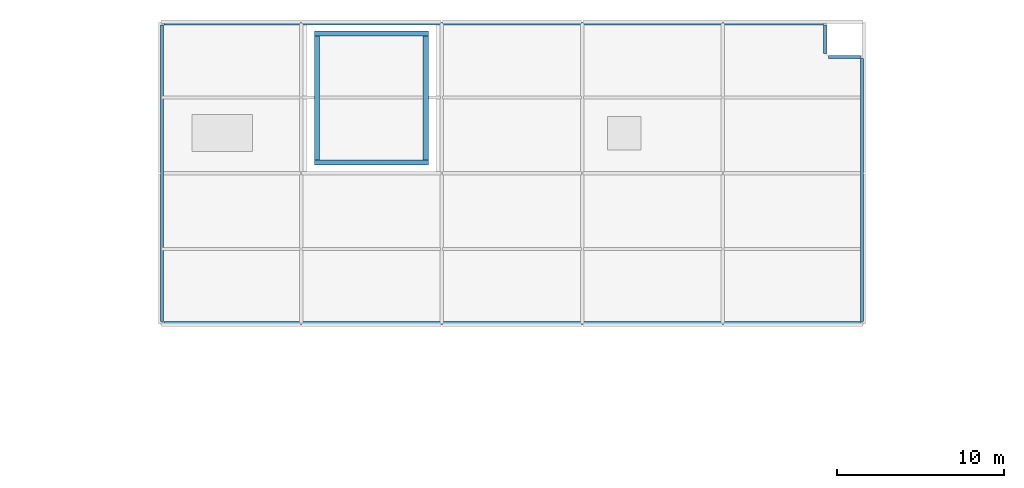
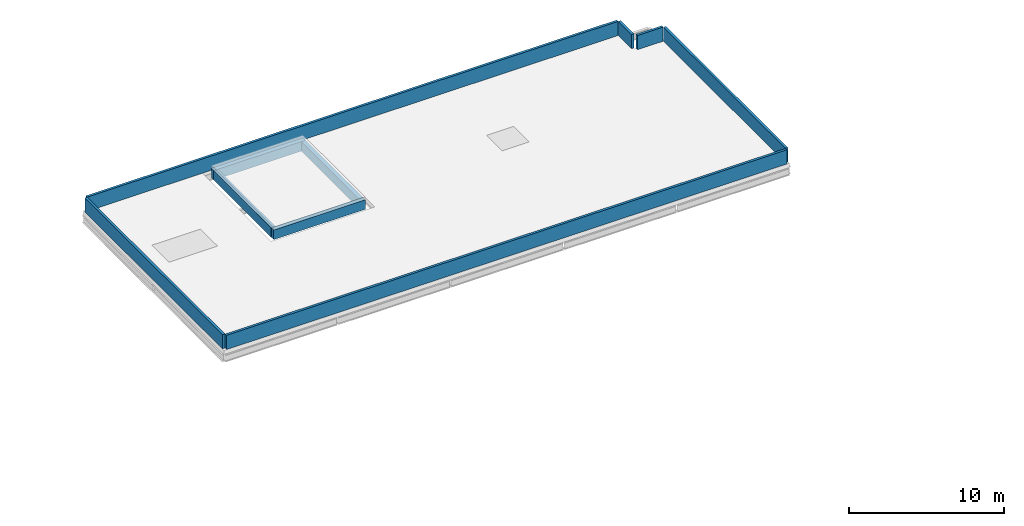
# One storey, part 57 of 58: 10 walls.
"""IFC4 building model written with IfcOpenShell, lengths in metres."""

from ifc_helpers import new_model, si_unit, direction, frame, frame_2d, origin, place, context, subcontext, project, spatial, rectangle, extrude, material, layer, layer_set, type_object, element, save


model = new_model("IFC4")

# Units and contexts
model_context = context("Model", 3, precision=1e-05, world=origin(), true_north=direction((0.0, 1.0)))
body_context = subcontext(model_context, "Body", "Model", "MODEL_VIEW")
ifc_project = project(units=[si_unit("LENGTHUNIT", "METRE"), si_unit("AREAUNIT", "SQUARE_METRE"), si_unit("VOLUMEUNIT", "CUBIC_METRE"), si_unit("PLANEANGLEUNIT", "RADIAN"), si_unit("MASSUNIT", "GRAM", prefix="KILO")], contexts=[model_context])

# Site, building, storey
site_placement = place(None, origin())
site = spatial("IfcSite", under=ifc_project, at=site_placement, CompositionType="ELEMENT")
building_placement = place(site_placement, origin())
building = spatial("IfcBuilding", under=site, at=building_placement, Name="Khurvash Pelagic Aquarium", CompositionType="ELEMENT")
storey_placement = place(building_placement, frame((0.0, 0.0, 24.60009765625)))
storey = spatial("IfcBuildingStorey", under=building, at=storey_placement, Name="L05", CompositionType="ELEMENT", Elevation=24.60009765625)

# Walls
ifc_material_1 = material(Name="Precast concrete C40/50", Category="concrete")
ifc_layer_1 = layer(ifc_material_1, 0.179931640625)
ifc_layer_set_1 = layer_set([ifc_layer_1], Name="Precast concrete C40/50")
wall_type_1 = type_object("IfcWallType", Name="PP-180", PredefinedType="PARAPET", material=ifc_layer_set_1)
wall_1_placement = place(storey_placement, frame((58.89990234375, 84.25, 0.0), z_axis=(0.0, 0.0, 1.0), x_axis=(0.0, 1.0, 0.0)))
element("IfcWall", 1, at=wall_1_placement, inside=storey, type_object=wall_type_1, Name="L05 Roof Perimeter Parapet Wall PP-180", PredefinedType="PARAPET", context=body_context, shape_type="SweptSolid", body=[
    extrude(rectangle(XDim=17.699951171875, YDim=0.179931640625, at=frame_2d((8.85009765625, 0.0))), origin(), (0.0, 0.0, 1.0), 1.119873046875),
])
wall_2_placement = place(storey_placement, frame((59.0, 102.050048828125, 0.0), z_axis=(0.0, 0.0, 1.0), x_axis=(1.0, 0.0, 0.0)))
element("IfcWall", 2, at=wall_2_placement, inside=storey, type_object=wall_type_1, Name="L05 Roof Perimeter Parapet Wall PP-180", PredefinedType="PARAPET", context=body_context, shape_type="SweptSolid", body=[
    extrude(rectangle(XDim=39.39990234375, YDim=0.179931640625, at=frame_2d((19.699951171875, 0.0))), origin(), (0.0, 0.0, 1.0), 1.119873046875),
])
wall_3_placement = place(storey_placement, frame((98.5, 101.949951171875, 0.0), z_axis=(0.0, 0.0, 1.0), x_axis=(0.0, -1.0, 0.0)))
element("IfcWall", 3, at=wall_3_placement, inside=storey, type_object=wall_type_1, Name="L05 Roof Perimeter Parapet Wall PP-180", PredefinedType="PARAPET", context=body_context, shape_type="SweptSolid", body=[
    extrude(rectangle(XDim=1.699951171875, YDim=0.179931640625, at=frame_2d((0.85009765625, 0.0))), origin(), (0.0, 0.0, 1.0), 1.119873046875),
])
wall_4_placement = place(storey_placement, frame((98.699951171875, 100.050048828125, 0.0), z_axis=(0.0, 0.0, 1.0), x_axis=(1.0, 0.0, 0.0)))
element("IfcWall", 4, at=wall_4_placement, inside=storey, type_object=wall_type_1, Name="L05 Roof Perimeter Parapet Wall PP-180", PredefinedType="PARAPET", context=body_context, shape_type="SweptSolid", body=[
    extrude(rectangle(XDim=1.900146484375, YDim=0.179931640625, at=frame_2d((0.9501953125, 0.0))), origin(), (0.0, 0.0, 1.0), 1.119873046875),
])
wall_5_placement = place(storey_placement, frame((100.699951171875, 99.949951171875, 0.0), z_axis=(0.0, 0.0, 1.0), x_axis=(0.0, -1.0, 0.0)))
element("IfcWall", 5, at=wall_5_placement, inside=storey, type_object=wall_type_1, Name="L05 Roof Perimeter Parapet Wall PP-180", PredefinedType="PARAPET", context=body_context, shape_type="SweptSolid", body=[
    extrude(rectangle(XDim=15.699951171875, YDim=0.179931640625, at=frame_2d((7.85009765625, 0.0))), origin(), (0.0, 0.0, 1.0), 1.119873046875),
])
wall_6_placement = place(storey_placement, frame((100.60009765625, 84.14990234375, 0.0), z_axis=(0.0, 0.0, 1.0), x_axis=(-1.0, 0.0, 0.0)))
element("IfcWall", 6, at=wall_6_placement, inside=storey, type_object=wall_type_1, Name="L05 Roof Perimeter Parapet Wall PP-180", PredefinedType="PARAPET", context=body_context, shape_type="SweptSolid", body=[
    extrude(rectangle(XDim=41.60009765625, YDim=0.179931640625, at=frame_2d((20.800048828125, 0.0))), origin(), (0.0, 0.0, 1.0), 1.119873046875),
])
ifc_material_2 = material(Name="Concrete C40/50", Category="concrete")
ifc_layer_2 = layer(ifc_material_2, 0.31494140625)
ifc_layer_set_2 = layer_set([ifc_layer_2], Name="Concrete C40/50")
wall_type_2 = type_object("IfcWallType", Name="SW-315", PredefinedType="SHEAR", material=ifc_layer_set_2)
for number, where, z_axis, x_axis, name in (
    (7, (68.0, 93.75, -0.300048828125), (0.0, 0.0, 1.0), (1.0, 0.0, 0.0), "L05 Core C4 Overrun Penthouse Wall SW-315"),
    (8, (68.0, 101.449951171875, -0.300048828125), (0.0, 0.0, 1.0), (1.0, 0.0, 0.0), "L05 Core C4 Overrun Penthouse Wall SW-315"),
):
    element("IfcWall", number, at=place(storey_placement, frame(where, z_axis=z_axis, x_axis=x_axis)), inside=storey, type_object=wall_type_2, Name=name, PredefinedType="SHEAR", context=body_context, shape_type="SweptSolid", body=[
        extrude(rectangle(XDim=6.800048828125, YDim=0.31494140625, at=frame_2d((3.39990234375, 0.0))), origin(), (0.0, 0.0, 1.0), 0.75),
    ])
for number, where, z_axis, x_axis, name in (
    (9, (68.14990234375, 93.89990234375, -0.300048828125), (0.0, 0.0, 1.0), (0.0, 1.0, 0.0), "L05 Core C4 Overrun Penthouse Wall SW-315"),
    (10, (74.64990234375, 93.89990234375, -0.300048828125), (0.0, 0.0, 1.0), (0.0, 1.0, 0.0), "L05 Core C4 Overrun Penthouse Wall SW-315"),
):
    element("IfcWall", number, at=place(storey_placement, frame(where, z_axis=z_axis, x_axis=x_axis)), inside=storey, type_object=wall_type_2, Name=name, PredefinedType="SHEAR", context=body_context, shape_type="SweptSolid", body=[
        extrude(rectangle(XDim=7.400146484375, YDim=0.31494140625, at=frame_2d((3.7001953125, 0.0))), origin(), (0.0, 0.0, 1.0), 0.75),
    ])

save(model, "model.ifc")
